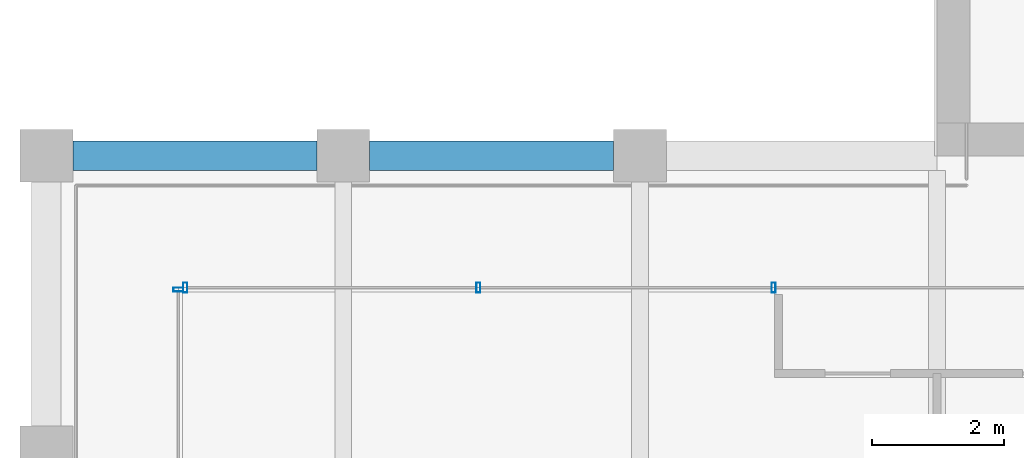
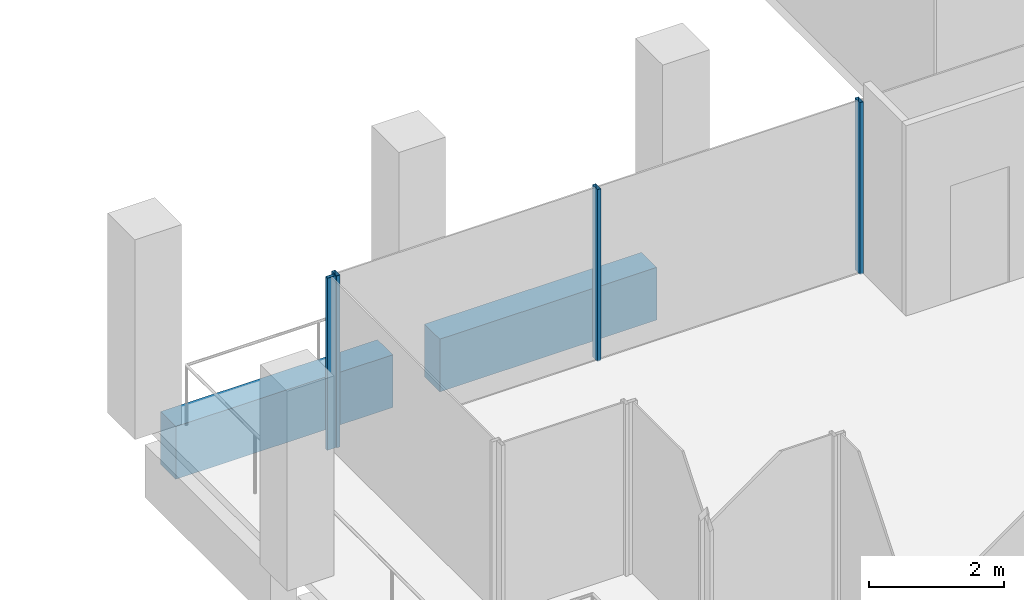
# One storey, part 5 of 30: 4 members, 2 beams, 2 elements without a shape of their own.
"""IFC4 building model written with IfcOpenShell, lengths in metres."""

from ifc_helpers import new_model, si_unit, direction, frame, origin, origin_2d, place, context, subcontext, project, spatial, rectangle, hollow_rectangle, extrude, material, material_profile, profile_set, type_object, element, aggregate, save


model = new_model("IFC4")

# Units and contexts
model_context = context("Model", 3, precision=1e-05, world=origin(), true_north=direction((0.0, 1.0)))
body_context = subcontext(model_context, "Body", "Model", "MODEL_VIEW")
ifc_project = project(units=[si_unit("LENGTHUNIT", "METRE"), si_unit("AREAUNIT", "SQUARE_METRE"), si_unit("VOLUMEUNIT", "CUBIC_METRE"), si_unit("PLANEANGLEUNIT", "RADIAN"), si_unit("MASSUNIT", "GRAM", prefix="KILO")], contexts=[model_context])

# Site, building, storey
site_placement = place(None, origin())
site = spatial("IfcSite", under=ifc_project, at=site_placement, CompositionType="ELEMENT")
building_placement = place(site_placement, origin())
building = spatial("IfcBuilding", under=site, at=building_placement, Name="Altepetl Exchange Towers", CompositionType="ELEMENT")
storey_placement = place(building_placement, frame((0.0, 0.0, 228.0)))
storey = spatial("IfcBuildingStorey", under=building, at=storey_placement, Name="L58", CompositionType="ELEMENT", Elevation=228.0)

# Curtain wall, members
ifc_material_1 = material(Name="Aluminium 6063-T6 glazing", Category="aluminium")
curtain_wall_type = type_object("IfcCurtainWallType", Name="Loggia glazing system", PredefinedType="NOTDEFINED", material=ifc_material_1)
curtain_wall_1_placement = place(storey_placement, origin())
curtain_wall_1 = element("IfcCurtainWall", 1, at=curtain_wall_1_placement, inside=storey, type_object=curtain_wall_type, Name="CW1 run", PredefinedType="NOTDEFINED")
ifc_material_2 = material(Name="Aluminium 6063-T6", Category="aluminium")
ifc_material_profile_1 = material_profile(ifc_material_2, hollow_rectangle(XDim=0.06005859375, YDim=0.14990234375, WallThickness=0.0029296875, at=origin_2d()), Name="Mullion 60x150 aluminium")
ifc_profile_set_1 = profile_set([ifc_material_profile_1], Name="Aluminium 6063-T6")
member_type = type_object("IfcMemberType", Name="Mullion 60x150 aluminium", PredefinedType="MULLION", material=ifc_profile_set_1)
member_1_placement = place(storey_placement, frame((38.02490234375, 38.5, 0.0), z_axis=(0.0, 0.0, 1.0), x_axis=(-1.0, 0.0, 0.0)))
member_1 = element("IfcMember", 2, at=member_1_placement, type_object=member_type, Name="MU1 mullion", PredefinedType="MULLION", context=body_context, shape_type="SweptSolid", body=[
    extrude(hollow_rectangle(XDim=0.06005859375, YDim=0.14990234375, WallThickness=0.0029296875, at=origin_2d()), origin(), (0.0, 0.0, 1.0), 3.10009765625),
])
member_2_placement = place(storey_placement, frame((33.550048828125, 38.5, 0.0), z_axis=(0.0, 0.0, 1.0), x_axis=(-1.0, 0.0, 0.0)))
member_2 = element("IfcMember", 3, at=member_2_placement, type_object=member_type, Name="MU1 mullion", PredefinedType="MULLION", context=body_context, shape_type="SweptSolid", body=[
    extrude(hollow_rectangle(XDim=0.06005859375, YDim=0.14990234375, WallThickness=0.0029296875, at=origin_2d()), origin(), (0.0, 0.0, 1.0), 3.10009765625),
])
member_3_placement = place(storey_placement, frame((29.10498046875, 38.5, 0.0), z_axis=(0.0, 0.0, 1.0), x_axis=(-1.0, 0.0, 0.0)))
member_3 = element("IfcMember", 4, at=member_3_placement, type_object=member_type, Name="MU1 mullion", PredefinedType="MULLION", context=body_context, shape_type="SweptSolid", body=[
    extrude(hollow_rectangle(XDim=0.06005859375, YDim=0.14990234375, WallThickness=0.0029296875, at=origin_2d()), origin(), (0.0, 0.0, 1.0), 3.10009765625),
])
aggregate(curtain_wall_1, [member_1, member_2, member_3])

# Curtain wall, member
curtain_wall_2_placement = place(storey_placement, origin())
curtain_wall_2 = element("IfcCurtainWall", 5, at=curtain_wall_2_placement, inside=storey, type_object=curtain_wall_type, Name="CW1 run", PredefinedType="NOTDEFINED")
member_4_placement = place(storey_placement, frame((29.0, 38.469970703125, 0.0), z_axis=(0.0, 0.0, 1.0), x_axis=(0.0, -1.0, 0.0)))
member_4 = element("IfcMember", 6, at=member_4_placement, type_object=member_type, Name="MU1 mullion", PredefinedType="MULLION", context=body_context, shape_type="SweptSolid", body=[
    extrude(hollow_rectangle(XDim=0.06005859375, YDim=0.14990234375, WallThickness=0.0029296875, at=origin_2d()), origin(), (0.0, 0.0, 1.0), 3.10009765625),
])
aggregate(curtain_wall_2, [member_4])

# Beams
ifc_material_3 = material(Name="Concrete C50/60 precast with tezontle facing", Category="concrete")
ifc_material_profile_2 = material_profile(ifc_material_3, rectangle(XDim=0.449951171875, YDim=0.949951171875, at=origin_2d()), Name="450 x 950")
ifc_profile_set_2 = profile_set([ifc_material_profile_2], Name="Concrete C50/60 precast with tezontle facing")
beam_type = type_object("IfcBeamType", Name="Spandrel beam 450x950 tezontle", PredefinedType="SPANDREL", material=ifc_profile_set_2)
for number, where, z_axis, x_axis, name in (
    (7, (35.60009765625, 40.5, -0.625), (-1.0, 0.0, 0.0), (0.0, -1.0, 0.0), "sp:A:L58:034"),
    (8, (31.10009765625, 40.5, -0.625), (-1.0, 0.0, 0.0), (0.0, -1.0, 0.0), "sp:A:L58:035"),
):
    element("IfcBeam", number, at=place(storey_placement, frame(where, z_axis=z_axis, x_axis=x_axis)), inside=storey, type_object=beam_type, Name=name, PredefinedType="SPANDREL", context=body_context, shape_type="SweptSolid", body=[
        extrude(rectangle(XDim=0.449951171875, YDim=0.949951171875, at=origin_2d()), origin(), (0.0, 0.0, 1.0), 3.7001953125),
    ])

save(model, "model.ifc")
